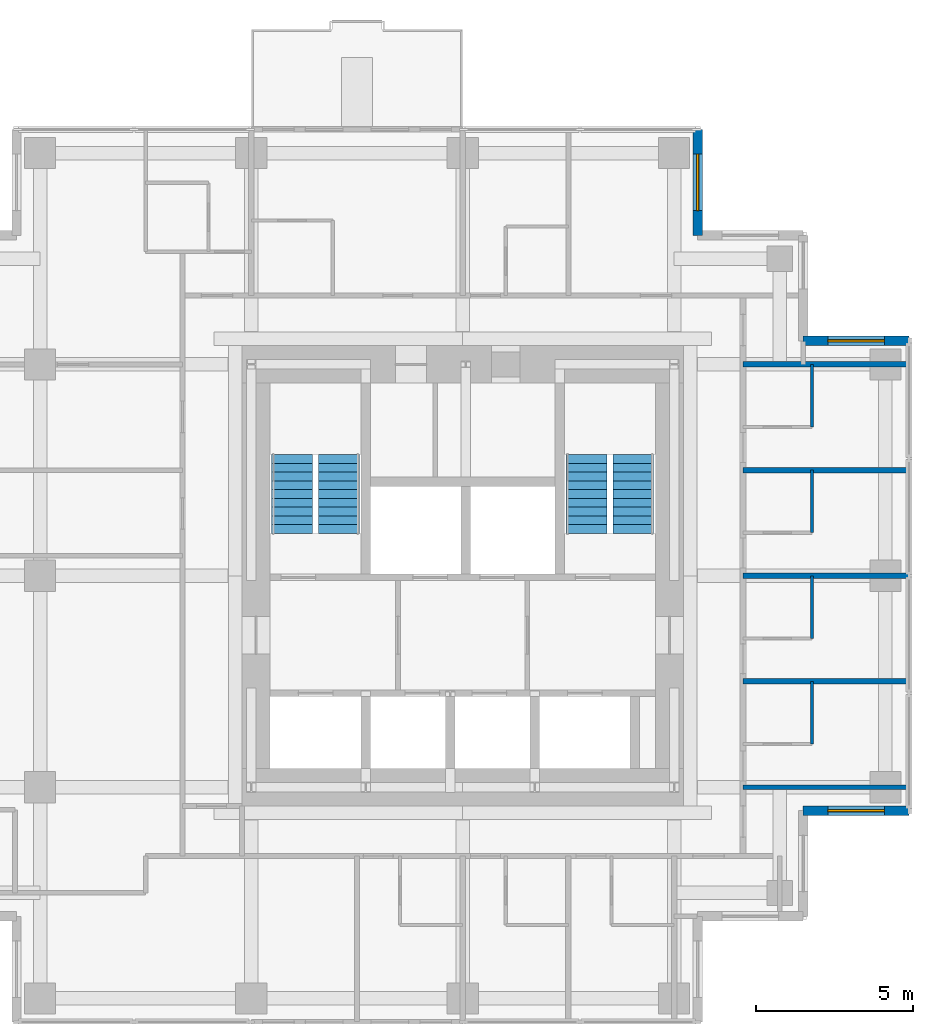
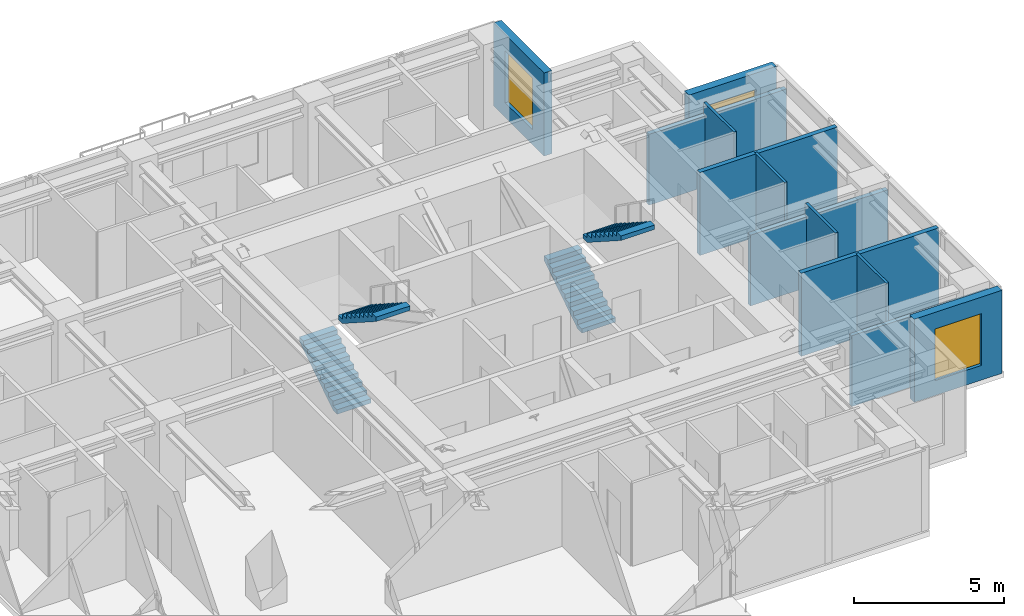
# One storey, part 7 of 8: 12 walls, 4 stair flights, 3 windows, 3 openings, 2 elements without a shape of their own.
"""IFC4 building model written with IfcOpenShell, lengths in metres."""

from ifc_helpers import new_model, si_unit, direction, frame, frame_2d, origin, place, context, subcontext, project, spatial, polyline, rectangle, outline, extrude, material, layer, layer_set, type_object, element, fill, aggregate, save


model = new_model("IFC4")

# Units and contexts
model_context = context("Model", 3, precision=1e-05, world=origin(), true_north=direction((0.0, 1.0)))
body_context = subcontext(model_context, "Body", "Model", "MODEL_VIEW")
ifc_project = project(units=[si_unit("LENGTHUNIT", "METRE"), si_unit("AREAUNIT", "SQUARE_METRE"), si_unit("VOLUMEUNIT", "CUBIC_METRE"), si_unit("PLANEANGLEUNIT", "RADIAN"), si_unit("MASSUNIT", "GRAM", prefix="KILO")], contexts=[model_context])

# Site, building, storey
site_placement = place(None, origin())
site = spatial("IfcSite", under=ifc_project, at=site_placement, CompositionType="ELEMENT")
building_placement = place(site_placement, origin())
building = spatial("IfcBuilding", under=site, at=building_placement, Name="Nyansa Garden Tower", CompositionType="ELEMENT")
storey_placement = place(building_placement, frame((0.0, 0.0, 240.300048828125)))
storey = spatial("IfcBuildingStorey", under=building, at=storey_placement, Name="L65", CompositionType="ELEMENT", Elevation=240.300048828125)

# Walls
ifc_material_1 = material(Name="Dense blockwork, plastered both sides, 55 dB", Category="masonry")
ifc_layer_1 = layer(ifc_material_1, 0.175048828125)
ifc_layer_set_1 = layer_set([ifc_layer_1], Name="Acoustic party wall PW175")
wall_type_1 = type_object("IfcWallType", Name="Acoustic party wall PW175", PredefinedType="PARTITIONING", material=ifc_layer_set_1)
wall_1_placement = place(storey_placement, frame((29.199951171875, 16.875, 0.0), z_axis=(0.0, 0.0, 1.0), x_axis=(1.0, 0.0, 0.0)))
element("IfcWall", 1, at=wall_1_placement, inside=storey, type_object=wall_type_1, Name="Party wall", PredefinedType="PARTITIONING", context=body_context, shape_type="SweptSolid", body=[
    extrude(rectangle(XDim=5.283935546875, YDim=0.175048828125, at=frame_2d((2.64208984375, 0.0))), origin(), (0.0, 0.0, 1.0), 3.375),
])
wall_2_placement = place(storey_placement, frame((29.199951171875, 20.25, 0.0), z_axis=(0.0, 0.0, 1.0), x_axis=(1.0, 0.0, 0.0)))
element("IfcWall", 2, at=wall_2_placement, inside=storey, type_object=wall_type_1, Name="Party wall", PredefinedType="PARTITIONING", context=body_context, shape_type="SweptSolid", body=[
    extrude(rectangle(XDim=5.283935546875, YDim=0.175048828125, at=frame_2d((2.64208984375, 0.0))), origin(), (0.0, 0.0, 1.0), 2.876953125),
])
wall_3_placement = place(storey_placement, frame((29.199951171875, 23.625, 0.0), z_axis=(0.0, 0.0, 1.0), x_axis=(1.0, 0.0, 0.0)))
element("IfcWall", 3, at=wall_3_placement, inside=storey, type_object=wall_type_1, Name="Party wall", PredefinedType="PARTITIONING", context=body_context, shape_type="SweptSolid", body=[
    extrude(rectangle(XDim=5.283935546875, YDim=0.175048828125, at=frame_2d((2.64208984375, 0.0))), origin(), (0.0, 0.0, 1.0), 3.375),
])
wall_4_placement = place(storey_placement, frame((29.199951171875, 27.0, 0.0), z_axis=(0.0, 0.0, 1.0), x_axis=(1.0, 0.0, 0.0)))
element("IfcWall", 4, at=wall_4_placement, inside=storey, type_object=wall_type_1, Name="Party wall", PredefinedType="PARTITIONING", context=body_context, shape_type="SweptSolid", body=[
    extrude(rectangle(XDim=5.283935546875, YDim=0.175048828125, at=frame_2d((2.64208984375, 0.0))), origin(), (0.0, 0.0, 1.0), 2.876953125),
])
ifc_material_2 = material(Name="Blockwork, plastered both sides", Category="masonry")
ifc_layer_2 = layer(ifc_material_2, 0.14990234375)
ifc_layer_set_2 = layer_set([ifc_layer_2], Name="Partition PW150")
wall_type_2 = type_object("IfcWallType", Name="Partition PW150", PredefinedType="PARTITIONING", material=ifc_layer_set_2)
wall_5_placement = place(storey_placement, frame((29.199951171875, 13.5, 0.0), z_axis=(0.0, 0.0, 1.0), x_axis=(1.0, 0.0, 0.0)))
element("IfcWall", 5, at=wall_5_placement, inside=storey, type_object=wall_type_2, Name="Partition", PredefinedType="PARTITIONING", context=body_context, shape_type="SweptSolid", body=[
    extrude(rectangle(XDim=5.283935546875, YDim=0.14990234375, at=frame_2d((2.64208984375, 0.0))), origin(), (0.0, 0.0, 1.0), 2.876953125),
])

# Wall, opening, window
ifc_material_3 = material(Name="Turquoise glazed tile on concrete blockwork", Category="masonry")
ifc_layer_3 = layer(ifc_material_3, 0.300048828125)
ifc_layer_set_3 = layer_set([ifc_layer_3], Name="Tiled corner wall TW300")
wall_type_3 = type_object("IfcWallType", Name="Tiled corner wall TW300", PredefinedType="SOLIDWALL", material=ifc_layer_set_3)
wall_6_placement = place(storey_placement, frame((34.5, 27.75, 0.0), z_axis=(0.0, 0.0, 1.0), x_axis=(-1.0, 0.0, 0.0)))
wall_6 = element("IfcWall", 6, at=wall_6_placement, inside=storey, type_object=wall_type_3, Name="Tiled corner wall L65", PredefinedType="SOLIDWALL", context=body_context, shape_type="SweptSolid", body=[
    extrude(rectangle(XDim=3.375, YDim=0.300048828125, at=frame_2d((1.6875, 0.0))), origin(), (0.0, 0.0, 1.0), 3.375),
])
opening_1_placement = place(wall_6_placement, frame((0.78759765625, 0.0, 0.60009765625)))
opening_1 = element("IfcOpeningElement", 7, at=opening_1_placement, cuts=wall_6, Name="Opening W2", PredefinedType="OPENING", context=body_context, shape_type="SweptSolid", body=[
    extrude(rectangle(XDim=1.800048828125, YDim=2.10009765625, at=frame_2d((0.89990234375, 1.050048828125))), frame((0.0, 0.159912109375, 0.0), z_axis=(0.0, -1.0, 0.0), x_axis=(1.0, 0.0, 0.0)), (0.0, 0.0, 1.0), 0.320068359375),
])
ifc_material_4 = material(Name="Black aluminium frame, dark tinted double glazing", Category="aluminium")
window_type = type_object("IfcWindowType", Name="Window W2 1800x2100", PartitioningType="SINGLE_PANEL", PredefinedType="WINDOW", material=ifc_material_4)
window_1_placement = place(opening_1_placement, origin())
window_1 = element("IfcWindow", 8, at=window_1_placement, inside=storey, type_object=window_type, Name="Corner window L65", OverallHeight=2.10009765625, OverallWidth=1.800048828125, PartitioningType="SINGLE_PANEL", PredefinedType="WINDOW", context=body_context, shape_type="SweptSolid", body=[
    extrude(rectangle(XDim=1.800048828125, YDim=2.10009765625, at=frame_2d((0.89990234375, 1.050048828125))), frame((0.0, 0.030029296875, 0.0), z_axis=(0.0, -1.0, 0.0), x_axis=(1.0, 0.0, 0.0)), (0.0, 0.0, 1.0), 0.06005859375),
])
fill(opening_1, window_1)

wall_7_placement = place(storey_placement, frame((27.75, 31.125, 0.0), z_axis=(0.0, 0.0, 1.0), x_axis=(0.0, 1.0, 0.0)))
wall_7 = element("IfcWall", 9, at=wall_7_placement, inside=storey, type_object=wall_type_3, Name="Tiled corner wall L65", PredefinedType="SOLIDWALL", context=body_context, shape_type="SweptSolid", body=[
    extrude(rectangle(XDim=3.375, YDim=0.300048828125, at=frame_2d((1.6875, 0.0))), origin(), (0.0, 0.0, 1.0), 3.375),
])
opening_2_placement = place(wall_7_placement, frame((0.78759765625, 0.0, 0.60009765625)))
opening_2 = element("IfcOpeningElement", 10, at=opening_2_placement, cuts=wall_7, Name="Opening W2", PredefinedType="OPENING", context=body_context, shape_type="SweptSolid", body=[
    extrude(rectangle(XDim=1.800048828125, YDim=2.10009765625, at=frame_2d((0.89990234375, 1.050048828125))), frame((0.0, 0.159912109375, 0.0), z_axis=(0.0, -1.0, 0.0), x_axis=(1.0, 0.0, 0.0)), (0.0, 0.0, 1.0), 0.320068359375),
])
window_2_placement = place(opening_2_placement, origin())
window_2 = element("IfcWindow", 11, at=window_2_placement, inside=storey, type_object=window_type, Name="Corner window L65", OverallHeight=2.10009765625, OverallWidth=1.800048828125, PartitioningType="SINGLE_PANEL", PredefinedType="WINDOW", context=body_context, shape_type="SweptSolid", body=[
    extrude(rectangle(XDim=1.800048828125, YDim=2.10009765625, at=frame_2d((0.89990234375, 1.050048828125))), frame((0.0, 0.030029296875, 0.0), z_axis=(0.0, -1.0, 0.0), x_axis=(1.0, 0.0, 0.0)), (0.0, 0.0, 1.0), 0.06005859375),
])
fill(opening_2, window_2)

wall_8_placement = place(storey_placement, frame((31.125, 12.75, 0.0), z_axis=(0.0, 0.0, 1.0), x_axis=(1.0, 0.0, 0.0)))
wall_8 = element("IfcWall", 12, at=wall_8_placement, inside=storey, type_object=wall_type_3, Name="Tiled corner wall L65", PredefinedType="SOLIDWALL", context=body_context, shape_type="SweptSolid", body=[
    extrude(rectangle(XDim=3.375, YDim=0.300048828125, at=frame_2d((1.6875, 0.0))), origin(), (0.0, 0.0, 1.0), 3.375),
])
opening_3_placement = place(wall_8_placement, frame((0.78759765625, 0.0, 0.60009765625)))
opening_3 = element("IfcOpeningElement", 13, at=opening_3_placement, cuts=wall_8, Name="Opening W2", PredefinedType="OPENING", context=body_context, shape_type="SweptSolid", body=[
    extrude(rectangle(XDim=1.800048828125, YDim=2.10009765625, at=frame_2d((0.89990234375, 1.050048828125))), frame((0.0, 0.159912109375, 0.0), z_axis=(0.0, -1.0, 0.0), x_axis=(1.0, 0.0, 0.0)), (0.0, 0.0, 1.0), 0.320068359375),
])
window_3_placement = place(opening_3_placement, origin())
window_3 = element("IfcWindow", 14, at=window_3_placement, inside=storey, type_object=window_type, Name="Corner window L65", OverallHeight=2.10009765625, OverallWidth=1.800048828125, PartitioningType="SINGLE_PANEL", PredefinedType="WINDOW", context=body_context, shape_type="SweptSolid", body=[
    extrude(rectangle(XDim=1.800048828125, YDim=2.10009765625, at=frame_2d((0.89990234375, 1.050048828125))), frame((0.0, 0.030029296875, 0.0), z_axis=(0.0, -1.0, 0.0), x_axis=(1.0, 0.0, 0.0)), (0.0, 0.0, 1.0), 0.06005859375),
])
fill(opening_3, window_3)

# Walls
ifc_material_5 = material(Name="Moisture resistant board on steel studs, tiled", Category="steel")
ifc_layer_4 = layer(ifc_material_5, 0.10009765625)
ifc_layer_set_4 = layer_set([ifc_layer_4], Name="Wet wall PW100")
wall_type_4 = type_object("IfcWallType", Name="Wet wall PW100", PredefinedType="PARTITIONING", material=ifc_layer_set_4)
for number, where, z_axis, x_axis, name in (
    (15, (31.39990234375, 14.875, 0.0), (0.0, 0.0, 1.0), (0.0, 1.0, 0.0), "Wet wall"),
    (16, (31.39990234375, 18.25, 0.0), (0.0, 0.0, 1.0), (0.0, 1.0, 0.0), "Wet wall"),
    (17, (31.39990234375, 21.625, 0.0), (0.0, 0.0, 1.0), (0.0, 1.0, 0.0), "Wet wall"),
    (18, (31.39990234375, 25.0, 0.0), (0.0, 0.0, 1.0), (0.0, 1.0, 0.0), "Wet wall"),
):
    element("IfcWall", number, at=place(storey_placement, frame(where, z_axis=z_axis, x_axis=x_axis)), inside=storey, type_object=wall_type_4, Name=name, PredefinedType="PARTITIONING", context=body_context, shape_type="SweptSolid", body=[
        extrude(rectangle(XDim=2.0, YDim=0.10009765625, at=frame_2d((1.0, 0.0))), origin(), (0.0, 0.0, 1.0), 3.375),
    ])

# Stair, stair flights
ifc_material_6 = material(Name="Precast concrete C40/50", Category="concrete")
stair_type_1 = type_object("IfcStairType", Name="Stair S1 180x280", PredefinedType="HALF_TURN_STAIR", material=ifc_material_6)
stair_1_placement = place(storey_placement, origin())
stair_1 = element("IfcStair", 19, at=stair_1_placement, inside=storey, type_object=stair_type_1, Name="Stair S1 L65", PredefinedType="HALF_TURN_STAIR")
ifc_material_7 = material(Name="Precast concrete C40/50", Category="concrete")
stair_flight_type_1 = type_object("IfcStairFlightType", Name="Stair flight S1 180x280x10", PredefinedType="STRAIGHT", material=ifc_material_7)
stair_flight_1_placement = place(storey_placement, frame((14.800048828125, 21.60009765625, 0.0), z_axis=(0.0, 0.0, 1.0), x_axis=(0.0, 1.0, 0.0)))
stair_flight_1 = element("IfcStairFlight", 20, at=stair_flight_1_placement, type_object=stair_flight_type_1, Name="S1 flight 1", NumberOfRisers=10, NumberOfTreads=9, PredefinedType="STRAIGHT", RiserHeight=0.18, TreadLength=0.28, context=body_context, shape_type="SweptSolid", body=[
    extrude(outline(polyline([(0.0, 0.0), (0.0, 0.179931640625), (0.280029296875, 0.179931640625), (0.280029296875, 0.360107421875), (0.56005859375, 0.360107421875), (0.56005859375, 0.5400390625), (0.840087890625, 0.5400390625), (0.840087890625, 0.719970703125), (1.1201171875, 0.719970703125), (1.1201171875, 0.89990234375), (1.39990234375, 0.89990234375), (1.39990234375, 1.080078125), (1.679931640625, 1.080078125), (1.679931640625, 1.260009765625), (1.9599609375, 1.260009765625), (1.9599609375, 1.43994140625), (2.239990234375, 1.43994140625), (2.239990234375, 1.6201171875), (2.52001953125, 1.6201171875), (2.52001953125, 1.800048828125), (2.52001953125, 1.44189453125), (0.277099609375, 0.0), (0.0, 0.0)])), frame((0.0, 0.64990234375, 0.0), z_axis=(0.0, -1.0, 0.0), x_axis=(1.0, 0.0, 0.0)), (0.0, 0.0, 1.0), 1.300048828125),
])
stair_flight_2_placement = place(storey_placement, frame((16.300048828125, 24.1201171875, 1.800048828125), z_axis=(0.0, 0.0, 1.0), x_axis=(0.0, -1.0, 0.0)))
stair_flight_2 = element("IfcStairFlight", 21, at=stair_flight_2_placement, type_object=stair_flight_type_1, Name="S1 flight 2", NumberOfRisers=10, NumberOfTreads=9, PredefinedType="STRAIGHT", RiserHeight=0.18, TreadLength=0.28, context=body_context, shape_type="SweptSolid", body=[
    extrude(outline(polyline([(0.0, 0.0), (0.0, 0.179931640625), (0.280029296875, 0.179931640625), (0.280029296875, 0.360107421875), (0.56005859375, 0.360107421875), (0.56005859375, 0.5400390625), (0.840087890625, 0.5400390625), (0.840087890625, 0.719970703125), (1.1201171875, 0.719970703125), (1.1201171875, 0.89990234375), (1.39990234375, 0.89990234375), (1.39990234375, 1.080078125), (1.679931640625, 1.080078125), (1.679931640625, 1.260009765625), (1.9599609375, 1.260009765625), (1.9599609375, 1.43994140625), (2.239990234375, 1.43994140625), (2.239990234375, 1.6201171875), (2.52001953125, 1.6201171875), (2.52001953125, 1.800048828125), (2.52001953125, 1.44189453125), (0.277099609375, 0.0), (0.0, 0.0)])), frame((0.0, 0.64990234375, 0.0), z_axis=(0.0, -1.0, 0.0), x_axis=(1.0, 0.0, 0.0)), (0.0, 0.0, 1.0), 1.300048828125),
])
aggregate(stair_1, [stair_flight_1, stair_flight_2])

ifc_material_8 = material(Name="Precast concrete C40/50", Category="concrete")
stair_type_2 = type_object("IfcStairType", Name="Stair S2 180x280", PredefinedType="HALF_TURN_STAIR", material=ifc_material_8)
stair_2_placement = place(storey_placement, origin())
stair_2 = element("IfcStair", 22, at=stair_2_placement, inside=storey, type_object=stair_type_2, Name="Stair S2 L65", PredefinedType="HALF_TURN_STAIR")
ifc_material_9 = material(Name="Precast concrete C40/50", Category="concrete")
stair_flight_type_2 = type_object("IfcStairFlightType", Name="Stair flight S2 180x280x10", PredefinedType="STRAIGHT", material=ifc_material_9)
stair_flight_3_placement = place(storey_placement, frame((24.199951171875, 21.60009765625, 0.0), z_axis=(0.0, 0.0, 1.0), x_axis=(0.0, 1.0, 0.0)))
stair_flight_3 = element("IfcStairFlight", 23, at=stair_flight_3_placement, type_object=stair_flight_type_2, Name="S2 flight 1", NumberOfRisers=10, NumberOfTreads=9, PredefinedType="STRAIGHT", RiserHeight=0.18, TreadLength=0.28, context=body_context, shape_type="SweptSolid", body=[
    extrude(outline(polyline([(0.0, 0.0), (0.0, 0.179931640625), (0.280029296875, 0.179931640625), (0.280029296875, 0.360107421875), (0.56005859375, 0.360107421875), (0.56005859375, 0.5400390625), (0.840087890625, 0.5400390625), (0.840087890625, 0.719970703125), (1.1201171875, 0.719970703125), (1.1201171875, 0.89990234375), (1.39990234375, 0.89990234375), (1.39990234375, 1.080078125), (1.679931640625, 1.080078125), (1.679931640625, 1.260009765625), (1.9599609375, 1.260009765625), (1.9599609375, 1.43994140625), (2.239990234375, 1.43994140625), (2.239990234375, 1.6201171875), (2.52001953125, 1.6201171875), (2.52001953125, 1.800048828125), (2.52001953125, 1.44189453125), (0.277099609375, 0.0), (0.0, 0.0)])), frame((0.0, 0.64990234375, 0.0), z_axis=(0.0, -1.0, 0.0), x_axis=(1.0, 0.0, 0.0)), (0.0, 0.0, 1.0), 1.300048828125),
])
stair_flight_4_placement = place(storey_placement, frame((25.699951171875, 24.1201171875, 1.800048828125), z_axis=(0.0, 0.0, 1.0), x_axis=(0.0, -1.0, 0.0)))
stair_flight_4 = element("IfcStairFlight", 24, at=stair_flight_4_placement, type_object=stair_flight_type_2, Name="S2 flight 2", NumberOfRisers=10, NumberOfTreads=9, PredefinedType="STRAIGHT", RiserHeight=0.18, TreadLength=0.28, context=body_context, shape_type="SweptSolid", body=[
    extrude(outline(polyline([(0.0, 0.0), (0.0, 0.179931640625), (0.280029296875, 0.179931640625), (0.280029296875, 0.360107421875), (0.56005859375, 0.360107421875), (0.56005859375, 0.5400390625), (0.840087890625, 0.5400390625), (0.840087890625, 0.719970703125), (1.1201171875, 0.719970703125), (1.1201171875, 0.89990234375), (1.39990234375, 0.89990234375), (1.39990234375, 1.080078125), (1.679931640625, 1.080078125), (1.679931640625, 1.260009765625), (1.9599609375, 1.260009765625), (1.9599609375, 1.43994140625), (2.239990234375, 1.43994140625), (2.239990234375, 1.6201171875), (2.52001953125, 1.6201171875), (2.52001953125, 1.800048828125), (2.52001953125, 1.44189453125), (0.277099609375, 0.0), (0.0, 0.0)])), frame((0.0, 0.64990234375, 0.0), z_axis=(0.0, -1.0, 0.0), x_axis=(1.0, 0.0, 0.0)), (0.0, 0.0, 1.0), 1.300048828125),
])
aggregate(stair_2, [stair_flight_3, stair_flight_4])

save(model, "model.ifc")
